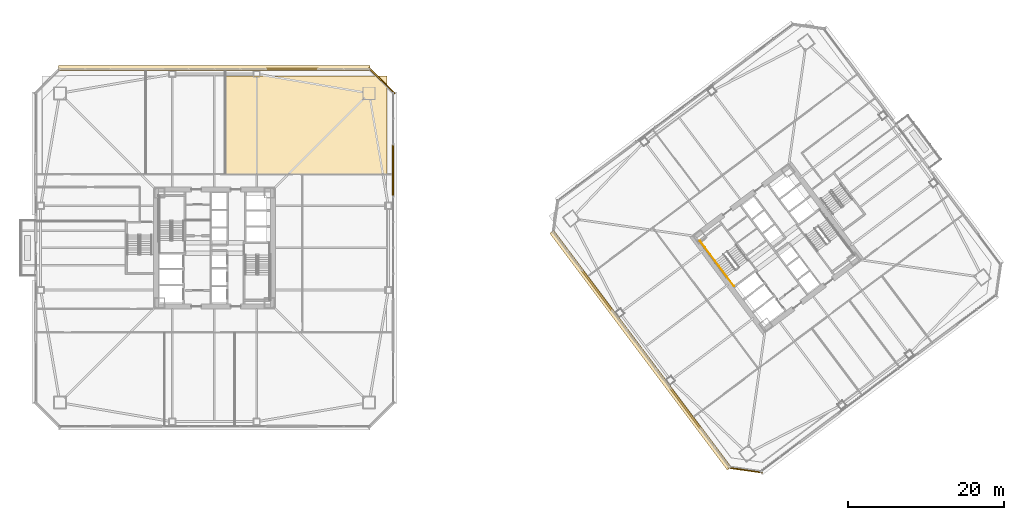
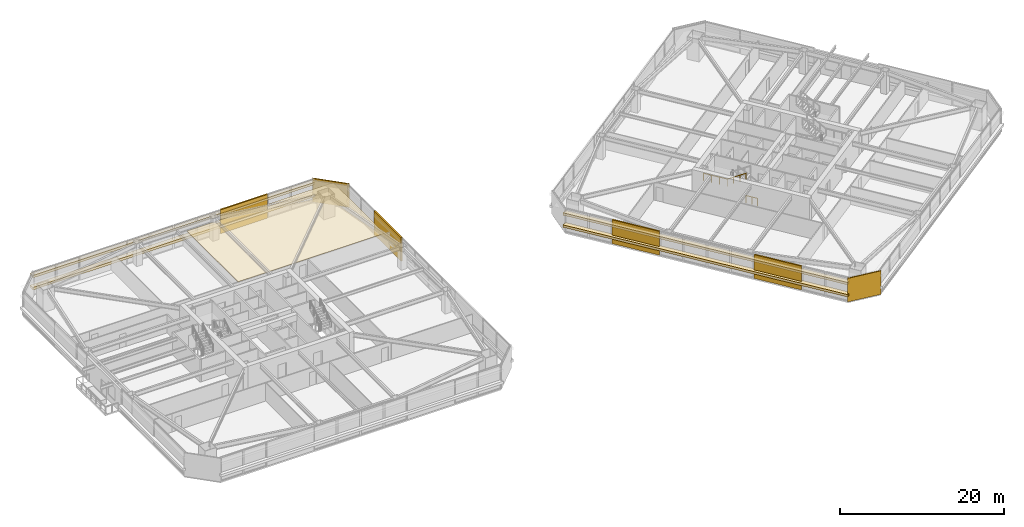
# One storey, part 44 of 47: 11 coverings, 3 railings.
"""IFC4 building model written with IfcOpenShell, lengths in metres."""

from ifc_helpers import new_model, si_unit, direction, frame, origin, origin_2d, place, context, subcontext, project, spatial, polyline, rectangle, outline, extrude, material, layer, layer_set, type_object, element, save


model = new_model("IFC4")

# Units and contexts
model_context = context("Model", 3, precision=1e-05, world=origin(), true_north=direction((0.0, 1.0)))
body_context = subcontext(model_context, "Body", "Model", "MODEL_VIEW")
ifc_project = project(units=[si_unit("LENGTHUNIT", "METRE"), si_unit("AREAUNIT", "SQUARE_METRE"), si_unit("VOLUMEUNIT", "CUBIC_METRE"), si_unit("PLANEANGLEUNIT", "RADIAN"), si_unit("MASSUNIT", "GRAM", prefix="KILO")], contexts=[model_context])

# Site, building, storey
site_placement = place(None, origin())
site = spatial("IfcSite", under=ifc_project, at=site_placement, CompositionType="ELEMENT")
building_placement = place(site_placement, origin())
building = spatial("IfcBuilding", under=site, at=building_placement, Name="Tashvorn Skyway Center", CompositionType="ELEMENT")
storey_placement = place(building_placement, frame((0.0, 0.0, 42.35009765625)))
storey = spatial("IfcBuildingStorey", under=building, at=storey_placement, Name="L10", CompositionType="ELEMENT", Elevation=42.35009765625)

# Coverings
ifc_material_1 = material(Name="Precast concrete C40/50", Category="concrete")
ifc_layer_1 = layer(ifc_material_1, 0.199951171875)
ifc_layer_set_1 = layer_set([ifc_layer_1], Name="Precast concrete C40/50")
covering_type_1 = type_object("IfcCoveringType", Name="COV-BRACE-CLAD", PredefinedType="CLADDING", material=ifc_layer_set_1)
for number, where, z_axis, x_axis, name in (
    (1, (51.93994140625, 54.8798828125, 0.0), (0.0, 0.0, 1.0), (1.0, 0.0, 0.0), "Tower 1 L10 North Unitised Curtain Wall Mega-Brace Cladding Band 2"),
    (2, (64.8798828125, 41.93994140625, 0.0), (0.0, 0.0, 1.0), (0.0, -1.0, 0.0), "Tower 1 L10 East Unitised Curtain Wall Mega-Brace Cladding Band 1"),
):
    element("IfcCovering", number, at=place(storey_placement, frame(where, z_axis=z_axis, x_axis=x_axis)), inside=storey, type_object=covering_type_1, Name=name, PredefinedType="CLADDING", context=body_context, shape_type="SweptSolid", body=[
        extrude(rectangle(XDim=6.626708984375, YDim=0.199951171875, at=origin_2d()), origin(), (0.0, 0.0, 1.0), 3.550048828125),
    ])
for number, where, z_axis, x_axis, name in (
    (3, (102.320068359375, 11.43994140625, 0.0), (0.0, 0.0, 1.0), (-0.600000004945, 0.799999996291, 0.0), "Tower 2 L10 West Unitised Curtain Wall Mega-Brace Cladding Band 1"),
    (4, (90.991943359375, 26.5439453125, 0.0), (0.0, 0.0, 1.0), (-0.600000004945, 0.799999996291, 0.0), "Tower 2 L10 West Unitised Curtain Wall Mega-Brace Cladding Band 2"),
):
    element("IfcCovering", number, at=place(storey_placement, frame(where, z_axis=z_axis, x_axis=x_axis)), inside=storey, type_object=covering_type_1, Name=name, PredefinedType="CLADDING", context=body_context, shape_type="SweptSolid", body=[
        extrude(rectangle(XDim=6.293212890625, YDim=0.199951171875, at=origin_2d()), origin(), (0.0, 0.0, 1.0), 3.550048828125),
    ])
ifc_material_2 = material(Name="Mineral-fibre acoustic ceiling tile on suspended grid")
ifc_layer_2 = layer(ifc_material_2, 0.02001953125)
ifc_layer_set_2 = layer_set([ifc_layer_2], Name="Mineral-fibre acoustic ceiling tile on suspended grid")
covering_type_2 = type_object("IfcCoveringType", Name="COV-CEIL-20", PredefinedType="CEILING", material=ifc_layer_set_2)
covering_1_placement = place(storey_placement, frame((0.0, 0.0, 2.682861328125)))
element("IfcCovering", 5, at=covering_1_placement, inside=storey, type_object=covering_type_2, Name="Tower 1 L10 Corporate Office Acoustic Ceiling", PredefinedType="CEILING", context=body_context, shape_type="SweptSolid", body=[
    extrude(outline(polyline([(43.39990234375, 41.449951171875), (64.10009765625, 41.449951171875), (64.10009765625, 54.0), (43.39990234375, 54.0), (43.39990234375, 41.449951171875)])), origin(), (0.0, 0.0, 1.0), 0.02001953125),
])
ifc_material_3 = material(Name="Perforated ceramic-coated bronze aluminium solar screen", Category="aluminium")
ifc_layer_3 = layer(ifc_material_3, 0.85009765625)
ifc_layer_set_3 = layer_set([ifc_layer_3], Name="Perforated ceramic-coated bronze aluminium solar screen")
covering_type_3 = type_object("IfcCoveringType", Name="COV-SOLAR-BAND", PredefinedType="CLADDING", material=ifc_layer_set_3)
for number, where, z_axis, x_axis, name in (
    (6, (42.0, 55.02001953125, 0.919921875), (0.0, 0.0, 1.0), (1.0, 0.0, 0.0), "L10 Perforated Ceramic-Metal Solar Screen Louvre Band North 1"),
    (7, (42.0, 55.02001953125, 2.7197265625), (0.0, 0.0, 1.0), (1.0, 0.0, 0.0), "L10 Perforated Ceramic-Metal Solar Screen Louvre Band North 2"),
):
    element("IfcCovering", number, at=place(storey_placement, frame(where, z_axis=z_axis, x_axis=x_axis)), inside=storey, type_object=covering_type_3, Name=name, PredefinedType="CLADDING", context=body_context, shape_type="SweptSolid", body=[
        extrude(rectangle(XDim=39.8798828125, YDim=0.639892578125, at=origin_2d()), origin(), (0.0, 0.0, 1.0), 0.360107421875),
    ])
for number, where, z_axis, x_axis, name in (
    (8, (96.5439453125, 18.907958984375, 0.919921875), (0.0, 0.0, 1.0), (-0.600000004945, 0.799999996291, 0.0), "L10 Perforated Ceramic-Metal Solar Screen Louvre Band West 1"),
    (9, (96.5439453125, 18.907958984375, 2.7197265625), (0.0, 0.0, 1.0), (-0.600000004945, 0.799999996291, 0.0), "L10 Perforated Ceramic-Metal Solar Screen Louvre Band West 2"),
):
    element("IfcCovering", number, at=place(storey_placement, frame(where, z_axis=z_axis, x_axis=x_axis)), inside=storey, type_object=covering_type_3, Name=name, PredefinedType="CLADDING", context=body_context, shape_type="SweptSolid", body=[
        extrude(rectangle(XDim=37.8798828125, YDim=0.639892578125, at=origin_2d()), origin(), (0.0, 0.0, 1.0), 0.360107421875),
    ])
ifc_layer_4 = layer(ifc_material_1, 0.35009765625)
ifc_layer_set_4 = layer_set([ifc_layer_4], Name="Precast concrete C40/50")
covering_type_4 = type_object("IfcCoveringType", Name="COV-STONE-TRIM", PredefinedType="CLADDING", material=ifc_layer_set_4)
covering_2_placement = place(storey_placement, frame((63.419921875, 53.419921875, 0.02001953125), z_axis=(0.0, 0.0, 1.0), x_axis=(0.707106781187, -0.707106781187, 0.0)))
element("IfcCovering", 10, at=covering_2_placement, inside=storey, type_object=covering_type_4, Name="Tower 1 L10 NE Mojave Limestone Corner Quoin", PredefinedType="CLADDING", context=body_context, shape_type="SweptSolid", body=[
    extrude(rectangle(XDim=4.685546875, YDim=0.139892578125, at=origin_2d()), origin(), (0.0, 0.0, 1.0), 3.510009765625),
])
covering_3_placement = place(storey_placement, frame((109.93603515625, 3.552001953125, 0.02001953125), z_axis=(0.0, 0.0, 1.0), x_axis=(-0.989949494535, 0.141421350118, 0.0)))
element("IfcCovering", 11, at=covering_3_placement, inside=storey, type_object=covering_type_4, Name="Tower 2 L10 SW Mojave Limestone Corner Quoin", PredefinedType="CLADDING", context=body_context, shape_type="SweptSolid", body=[
    extrude(rectangle(XDim=4.402587890625, YDim=0.139892578125, at=origin_2d()), origin(), (0.0, 0.0, 1.0), 3.510009765625),
])

# Railings
ifc_material_4 = material(Name="Brushed stainless steel 316", Category="steel")
railing_type_1 = type_object("IfcRailingType", Name="RAIL-HAND-920", PredefinedType="HANDRAIL", material=ifc_material_4)
railing_1_placement = place(storey_placement, frame((106.072021484375, 30.35400390625, 1.952392578125)))
element("IfcRailing", 12, at=railing_1_placement, inside=storey, type_object=railing_type_1, Name="L10 ST-T2-1 stair handrail 2", PredefinedType="HANDRAIL", context=body_context, shape_type="SweptSolid", body=[
    extrude(rectangle(XDim=0.048095703125, YDim=0.048095703125, at=origin_2d()), frame((0.0, 0.0, 0.8759765625), z_axis=(0.506740800098, -0.675708949977, 0.535379469569), x_axis=(0.800023250257, 0.599968998406, 0.0)), (0.0, 0.0, 1.0), 2.983642578125),
    extrude(rectangle(XDim=0.0419921875, YDim=0.0419921875, at=origin_2d()), origin(), (0.0, 0.0, 1.0), 0.851806640625),
    extrude(rectangle(XDim=0.0419921875, YDim=0.0419921875, at=origin_2d()), frame((0.50390625, -0.672119140625, 0.532470703125)), (0.0, 0.0, 1.0), 0.851806640625),
    extrude(rectangle(XDim=0.0419921875, YDim=0.0419921875, at=origin_2d()), frame((1.008056640625, -1.343994140625, 1.06494140625)), (0.0, 0.0, 1.0), 0.851806640625),
    extrude(rectangle(XDim=0.0419921875, YDim=0.0419921875, at=origin_2d()), frame((1.511962890625, -2.01611328125, 1.597412109375)), (0.0, 0.0, 1.0), 0.851806640625),
])
ifc_material_5 = material(Name="Painted galvanized steel S355", Category="steel")
railing_type_2 = type_object("IfcRailingType", Name="RAIL-STGUARD-1100", PredefinedType="GUARDRAIL", material=ifc_material_5)
railing_2_placement = place(storey_placement, frame((106.072021484375, 30.35400390625, 1.77490234375)))
element("IfcRailing", 13, at=railing_2_placement, inside=storey, type_object=railing_type_2, Name="L10 ST-T2-1 stair guard 3", PredefinedType="GUARDRAIL", context=body_context, shape_type="SweptSolid", body=[
    extrude(rectangle(XDim=0.048095703125, YDim=0.048095703125, at=origin_2d()), frame((0.0, 0.0, 1.076171875), z_axis=(-0.599987638607, 0.800009270896, 0.0), x_axis=(-0.800009270896, -0.599987638607, 0.0)), (0.0, 0.0, 1.0), 3.16015625),
    extrude(rectangle(XDim=0.0419921875, YDim=0.0419921875, at=origin_2d()), origin(), (0.0, 0.0, 1.0), 1.052001953125),
    extrude(rectangle(XDim=0.0419921875, YDim=0.0419921875, at=origin_2d()), frame((-0.632080078125, 0.8427734375, 0.0)), (0.0, 0.0, 1.0), 1.052001953125),
    extrude(rectangle(XDim=0.0419921875, YDim=0.0419921875, at=origin_2d()), frame((-1.263916015625, 1.685302734375, 0.0)), (0.0, 0.0, 1.0), 1.052001953125),
    extrude(rectangle(XDim=0.0419921875, YDim=0.0419921875, at=origin_2d()), frame((-1.89599609375, 2.528076171875, 0.0)), (0.0, 0.0, 1.0), 1.052001953125),
])
railing_3_placement = place(storey_placement, frame((108.49609375, 27.1220703125, 0.0)))
element("IfcRailing", 14, at=railing_3_placement, inside=storey, type_object=railing_type_2, Name="L10 ST-T2-1 stair guard 6", PredefinedType="GUARDRAIL", context=body_context, shape_type="SweptSolid", body=[
    extrude(rectangle(XDim=0.048095703125, YDim=0.048095703125, at=origin_2d()), frame((0.0, 0.0, 1.076171875), z_axis=(-0.600102796382, 0.799922892393, 0.0), x_axis=(-0.799922892393, -0.600102796382, 0.0)), (0.0, 0.0, 1.0), 1.52001953125),
    extrude(rectangle(XDim=0.0419921875, YDim=0.0419921875, at=origin_2d()), origin(), (0.0, 0.0, 1.0), 1.052001953125),
    extrude(rectangle(XDim=0.0419921875, YDim=0.0419921875, at=origin_2d()), frame((-0.4560546875, 0.60791015625, 0.0)), (0.0, 0.0, 1.0), 1.052001953125),
    extrude(rectangle(XDim=0.0419921875, YDim=0.0419921875, at=origin_2d()), frame((-0.912109375, 1.2158203125, 0.0)), (0.0, 0.0, 1.0), 1.052001953125),
])

save(model, "model.ifc")
